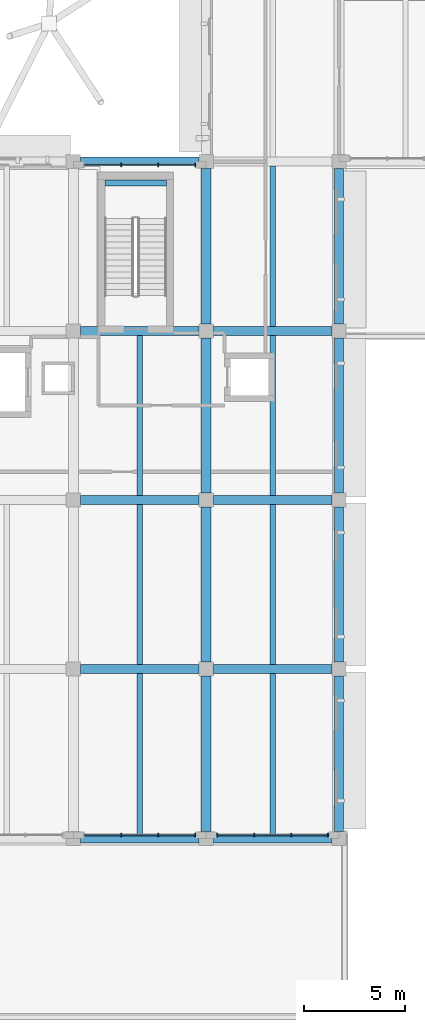
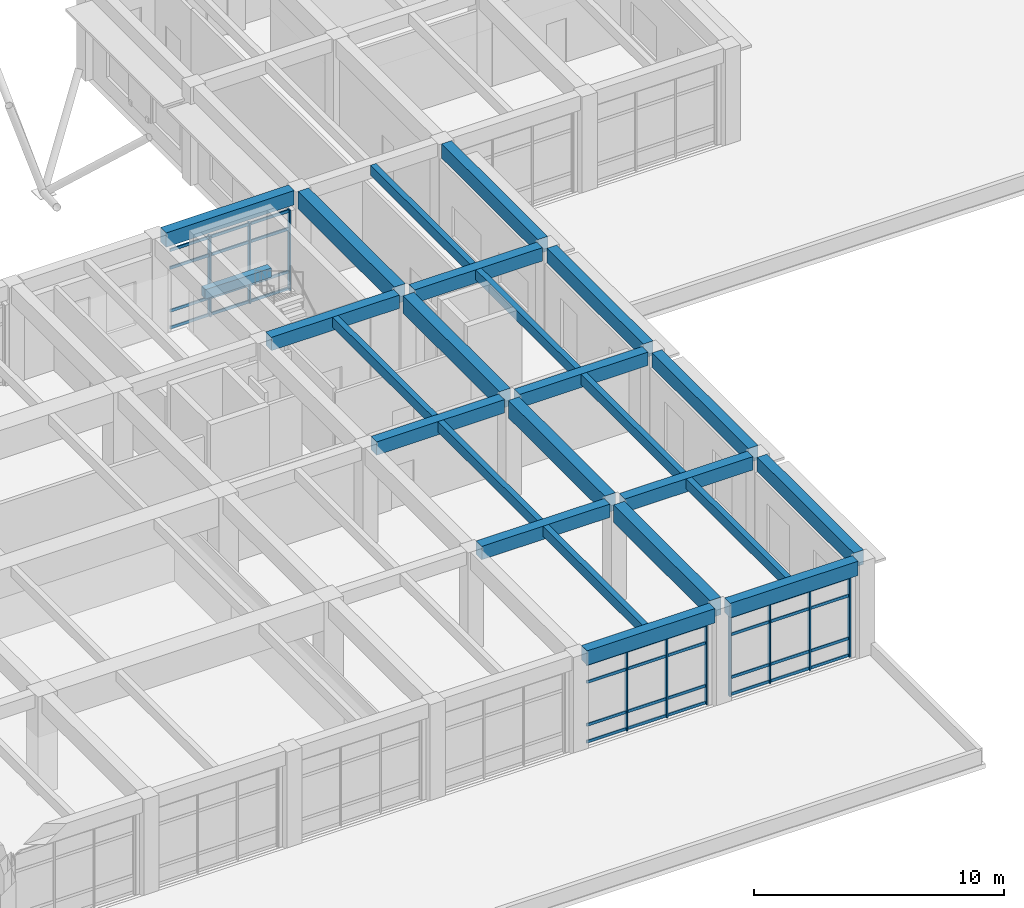
# One storey, part 25 of 75: 25 beams, 22 members, 3 elements without a shape of their own.
"""IFC4 building model written with IfcOpenShell, lengths in metres."""

from ifc_helpers import new_model, si_unit, direction, frame, origin, origin_2d, place, context, subcontext, project, spatial, rectangle, extrude, material, layer, layer_set, material_profile, profile_set, type_object, element, aggregate, save


model = new_model("IFC4")

# Units and contexts
model_context = context("Model", 3, precision=1e-05, world=origin(), true_north=direction((0.0, 1.0)))
body_context = subcontext(model_context, "Body", "Model", "MODEL_VIEW")
ifc_project = project(units=[si_unit("LENGTHUNIT", "METRE"), si_unit("AREAUNIT", "SQUARE_METRE"), si_unit("VOLUMEUNIT", "CUBIC_METRE"), si_unit("PLANEANGLEUNIT", "RADIAN"), si_unit("MASSUNIT", "GRAM", prefix="KILO")], contexts=[model_context])

# Site, building, storey
site_placement = place(None, origin())
site = spatial("IfcSite", under=ifc_project, at=site_placement, CompositionType="ELEMENT")
building_placement = place(site_placement, origin())
building = spatial("IfcBuilding", under=site, at=building_placement, Name="Kolvaren Faculty of Natural Sciences", CompositionType="ELEMENT")
storey_placement = place(building_placement, frame((0.0, 0.0, 5.39990234375)))
storey = spatial("IfcBuildingStorey", under=building, at=storey_placement, Name="L01", CompositionType="ELEMENT", Elevation=5.39990234375)

# Beam
ifc_material_1 = material(Name="Concrete C40/50", Category="concrete")
ifc_material_profile_1 = material_profile(ifc_material_1, rectangle(XDim=0.300048828125, YDim=0.449951171875, at=origin_2d()), Name="RC LNT 300x450")
ifc_profile_set_1 = profile_set([ifc_material_profile_1], Name="Concrete C40/50")
beam_type_1 = type_object("IfcBeamType", Name="CoreCouplingLintel_300x450", PredefinedType="LINTEL", material=ifc_profile_set_1)
beam_1_placement = place(storey_placement, frame((127.175048828125, 41.1298828125, 1.97509765625), z_axis=(1.0, 0.0, 0.0), x_axis=(0.0, 1.0, 0.0)))
element("IfcBeam", 1, at=beam_1_placement, inside=storey, type_object=beam_type_1, Name="L01 ST-3 half-landing support lintel", PredefinedType="LINTEL", context=body_context, shape_type="SweptSolid", body=[
    extrude(rectangle(XDim=0.300048828125, YDim=0.449951171875, at=origin_2d()), origin(), (0.0, 0.0, 1.0), 3.050048828125),
])

# Curtain wall, members
ifc_material_2 = material(Name="Thermally broken anodised aluminium framing", Category="aluminium")
ifc_layer = layer(ifc_material_2, 0.179931640625)
ifc_layer_set = layer_set([ifc_layer], Name="Thermally broken anodised aluminium framing")
curtain_wall_type = type_object("IfcCurtainWallType", Name="CommonsCurtainWall_CW02", PredefinedType="NOTDEFINED", material=ifc_layer_set)
curtain_wall_1_placement = place(storey_placement, origin())
curtain_wall_1 = element("IfcCurtainWall", 2, at=curtain_wall_1_placement, inside=storey, type_object=curtain_wall_type, Name="L01 unitised curtain wall CW-02 (CW-L01-042)", PredefinedType="NOTDEFINED")
ifc_material_profile_2 = material_profile(ifc_material_2, rectangle(XDim=0.06005859375, YDim=0.179931640625, at=origin_2d()), Name="ALU MUL 60x180")
ifc_profile_set_2 = profile_set([ifc_material_profile_2], Name="Thermally broken anodised aluminium framing")
member_type_1 = type_object("IfcMemberType", Name="CurtainMullion_60x180", PredefinedType="MULLION", material=ifc_profile_set_2)
member_1_placement = place(storey_placement, frame((138.25, 8.760009765625, 0.0), z_axis=(0.0, 0.0, 1.0), x_axis=(-1.0, 0.0, 0.0)))
member_1 = element("IfcMember", 3, at=member_1_placement, type_object=member_type_1, Name="CW-L01-042 vertical mullion 1", PredefinedType="MULLION", context=body_context, shape_type="SweptSolid", body=[
    extrude(rectangle(XDim=0.06005859375, YDim=0.179931640625, at=origin_2d()), origin(), (0.0, 0.0, 1.0), 3.93505859375),
])
member_2_placement = place(storey_placement, frame((136.416748046875, 8.760009765625, 0.0), z_axis=(0.0, 0.0, 1.0), x_axis=(-1.0, 0.0, 0.0)))
member_2 = element("IfcMember", 4, at=member_2_placement, type_object=member_type_1, Name="CW-L01-042 vertical mullion 2", PredefinedType="MULLION", context=body_context, shape_type="SweptSolid", body=[
    extrude(rectangle(XDim=0.06005859375, YDim=0.179931640625, at=origin_2d()), origin(), (0.0, 0.0, 1.0), 3.93505859375),
])
member_3_placement = place(storey_placement, frame((134.583251953125, 8.760009765625, 0.0), z_axis=(0.0, 0.0, 1.0), x_axis=(-1.0, 0.0, 0.0)))
member_3 = element("IfcMember", 5, at=member_3_placement, type_object=member_type_1, Name="CW-L01-042 vertical mullion 3", PredefinedType="MULLION", context=body_context, shape_type="SweptSolid", body=[
    extrude(rectangle(XDim=0.06005859375, YDim=0.179931640625, at=origin_2d()), origin(), (0.0, 0.0, 1.0), 3.93505859375),
])
member_4_placement = place(storey_placement, frame((132.75, 8.760009765625, 0.0), z_axis=(0.0, 0.0, 1.0), x_axis=(-1.0, 0.0, 0.0)))
member_4 = element("IfcMember", 6, at=member_4_placement, type_object=member_type_1, Name="CW-L01-042 vertical mullion 4", PredefinedType="MULLION", context=body_context, shape_type="SweptSolid", body=[
    extrude(rectangle(XDim=0.06005859375, YDim=0.179931640625, at=origin_2d()), origin(), (0.0, 0.0, 1.0), 3.93505859375),
])

curtain_wall_2_placement = place(storey_placement, origin())
curtain_wall_2 = element("IfcCurtainWall", 7, at=curtain_wall_2_placement, inside=storey, type_object=curtain_wall_type, Name="L01 unitised curtain wall CW-02 (CW-L01-043)", PredefinedType="NOTDEFINED")
member_5_placement = place(storey_placement, frame((131.64990234375, 8.760009765625, 0.0), z_axis=(0.0, 0.0, 1.0), x_axis=(-1.0, 0.0, 0.0)))
member_5 = element("IfcMember", 8, at=member_5_placement, type_object=member_type_1, Name="CW-L01-043 vertical mullion 1", PredefinedType="MULLION", context=body_context, shape_type="SweptSolid", body=[
    extrude(rectangle(XDim=0.06005859375, YDim=0.179931640625, at=origin_2d()), origin(), (0.0, 0.0, 1.0), 3.93505859375),
])
member_6_placement = place(storey_placement, frame((129.816650390625, 8.760009765625, 0.0), z_axis=(0.0, 0.0, 1.0), x_axis=(-1.0, 0.0, 0.0)))
member_6 = element("IfcMember", 9, at=member_6_placement, type_object=member_type_1, Name="CW-L01-043 vertical mullion 2", PredefinedType="MULLION", context=body_context, shape_type="SweptSolid", body=[
    extrude(rectangle(XDim=0.06005859375, YDim=0.179931640625, at=origin_2d()), origin(), (0.0, 0.0, 1.0), 3.93505859375),
])
member_7_placement = place(storey_placement, frame((127.9833984375, 8.760009765625, 0.0), z_axis=(0.0, 0.0, 1.0), x_axis=(-1.0, 0.0, 0.0)))
member_7 = element("IfcMember", 10, at=member_7_placement, type_object=member_type_1, Name="CW-L01-043 vertical mullion 3", PredefinedType="MULLION", context=body_context, shape_type="SweptSolid", body=[
    extrude(rectangle(XDim=0.06005859375, YDim=0.179931640625, at=origin_2d()), origin(), (0.0, 0.0, 1.0), 3.93505859375),
])

curtain_wall_3_placement = place(storey_placement, origin())
curtain_wall_3 = element("IfcCurtainWall", 11, at=curtain_wall_3_placement, inside=storey, type_object=curtain_wall_type, Name="L01 unitised curtain wall CW-02 (CW-L01-051)", PredefinedType="NOTDEFINED")
member_8_placement = place(storey_placement, frame((127.9833984375, 42.0400390625, 0.0), z_axis=(0.0, 0.0, 1.0), x_axis=(1.0, 0.0, 0.0)))
member_8 = element("IfcMember", 12, at=member_8_placement, type_object=member_type_1, Name="CW-L01-051 vertical mullion 2", PredefinedType="MULLION", context=body_context, shape_type="SweptSolid", body=[
    extrude(rectangle(XDim=0.06005859375, YDim=0.179931640625, at=origin_2d()), origin(), (0.0, 0.0, 1.0), 3.93505859375),
])
member_9_placement = place(storey_placement, frame((129.816650390625, 42.0400390625, 0.0), z_axis=(0.0, 0.0, 1.0), x_axis=(1.0, 0.0, 0.0)))
member_9 = element("IfcMember", 13, at=member_9_placement, type_object=member_type_1, Name="CW-L01-051 vertical mullion 3", PredefinedType="MULLION", context=body_context, shape_type="SweptSolid", body=[
    extrude(rectangle(XDim=0.06005859375, YDim=0.179931640625, at=origin_2d()), origin(), (0.0, 0.0, 1.0), 3.93505859375),
])
member_10_placement = place(storey_placement, frame((131.64990234375, 42.0400390625, 0.0), z_axis=(0.0, 0.0, 1.0), x_axis=(1.0, 0.0, 0.0)))
member_10 = element("IfcMember", 14, at=member_10_placement, type_object=member_type_1, Name="CW-L01-051 vertical mullion 4", PredefinedType="MULLION", context=body_context, shape_type="SweptSolid", body=[
    extrude(rectangle(XDim=0.06005859375, YDim=0.179931640625, at=origin_2d()), origin(), (0.0, 0.0, 1.0), 3.93505859375),
])

# Member
ifc_material_profile_3 = material_profile(ifc_material_2, rectangle(XDim=0.06005859375, YDim=0.139892578125, at=origin_2d()), Name="ALU TRN 60x140")
ifc_profile_set_3 = profile_set([ifc_material_profile_3], Name="Thermally broken anodised aluminium framing")
member_type_2 = type_object("IfcMemberType", Name="CurtainTransom_60x140", PredefinedType="USERDEFINED", material=ifc_profile_set_3)
member_11_placement = place(storey_placement, frame((138.25, 8.760009765625, 0.080078125), z_axis=(-1.0, 0.0, 0.0), x_axis=(0.0, -1.0, 0.0)))
member_11 = element("IfcMember", 15, at=member_11_placement, type_object=member_type_2, Name="CW-L01-042 horizontal transom 1", ObjectType="TRANSOM", PredefinedType="USERDEFINED", context=body_context, shape_type="SweptSolid", body=[
    extrude(rectangle(XDim=0.06005859375, YDim=0.139892578125, at=origin_2d()), origin(), (0.0, 0.0, 1.0), 5.5),
])

member_12_placement = place(storey_placement, frame((138.25, 8.760009765625, 0.900146484375), z_axis=(-1.0, 0.0, 0.0), x_axis=(0.0, -1.0, 0.0)))
member_12 = element("IfcMember", 16, at=member_12_placement, type_object=member_type_2, Name="CW-L01-042 horizontal transom 2", ObjectType="TRANSOM", PredefinedType="USERDEFINED", context=body_context, shape_type="SweptSolid", body=[
    extrude(rectangle(XDim=0.06005859375, YDim=0.139892578125, at=origin_2d()), origin(), (0.0, 0.0, 1.0), 5.5),
])

member_13_placement = place(storey_placement, frame((138.25, 8.760009765625, 2.985107421875), z_axis=(-1.0, 0.0, 0.0), x_axis=(0.0, -1.0, 0.0)))
member_13 = element("IfcMember", 17, at=member_13_placement, type_object=member_type_2, Name="CW-L01-042 horizontal transom 3", ObjectType="TRANSOM", PredefinedType="USERDEFINED", context=body_context, shape_type="SweptSolid", body=[
    extrude(rectangle(XDim=0.06005859375, YDim=0.139892578125, at=origin_2d()), origin(), (0.0, 0.0, 1.0), 5.5),
])

member_14_placement = place(storey_placement, frame((138.25, 8.760009765625, 3.85498046875), z_axis=(-1.0, 0.0, 0.0), x_axis=(0.0, -1.0, 0.0)))
member_14 = element("IfcMember", 18, at=member_14_placement, type_object=member_type_2, Name="CW-L01-042 horizontal transom 4", ObjectType="TRANSOM", PredefinedType="USERDEFINED", context=body_context, shape_type="SweptSolid", body=[
    extrude(rectangle(XDim=0.06005859375, YDim=0.139892578125, at=origin_2d()), origin(), (0.0, 0.0, 1.0), 5.5),
])

aggregate(curtain_wall_1, [member_1, member_2, member_3, member_4, member_11, member_12, member_13, member_14])

member_15_placement = place(storey_placement, frame((131.64990234375, 8.760009765625, 0.080078125), z_axis=(-1.0, 0.0, 0.0), x_axis=(0.0, -1.0, 0.0)))
member_15 = element("IfcMember", 19, at=member_15_placement, type_object=member_type_2, Name="CW-L01-043 horizontal transom 1", ObjectType="TRANSOM", PredefinedType="USERDEFINED", context=body_context, shape_type="SweptSolid", body=[
    extrude(rectangle(XDim=0.06005859375, YDim=0.139892578125, at=origin_2d()), origin(), (0.0, 0.0, 1.0), 5.5),
])

member_16_placement = place(storey_placement, frame((131.64990234375, 8.760009765625, 0.900146484375), z_axis=(-1.0, 0.0, 0.0), x_axis=(0.0, -1.0, 0.0)))
member_16 = element("IfcMember", 20, at=member_16_placement, type_object=member_type_2, Name="CW-L01-043 horizontal transom 2", ObjectType="TRANSOM", PredefinedType="USERDEFINED", context=body_context, shape_type="SweptSolid", body=[
    extrude(rectangle(XDim=0.06005859375, YDim=0.139892578125, at=origin_2d()), origin(), (0.0, 0.0, 1.0), 5.5),
])

member_17_placement = place(storey_placement, frame((131.64990234375, 8.760009765625, 2.985107421875), z_axis=(-1.0, 0.0, 0.0), x_axis=(0.0, -1.0, 0.0)))
member_17 = element("IfcMember", 21, at=member_17_placement, type_object=member_type_2, Name="CW-L01-043 horizontal transom 3", ObjectType="TRANSOM", PredefinedType="USERDEFINED", context=body_context, shape_type="SweptSolid", body=[
    extrude(rectangle(XDim=0.06005859375, YDim=0.139892578125, at=origin_2d()), origin(), (0.0, 0.0, 1.0), 5.5),
])

member_18_placement = place(storey_placement, frame((131.64990234375, 8.760009765625, 3.85498046875), z_axis=(-1.0, 0.0, 0.0), x_axis=(0.0, -1.0, 0.0)))
member_18 = element("IfcMember", 22, at=member_18_placement, type_object=member_type_2, Name="CW-L01-043 horizontal transom 4", ObjectType="TRANSOM", PredefinedType="USERDEFINED", context=body_context, shape_type="SweptSolid", body=[
    extrude(rectangle(XDim=0.06005859375, YDim=0.139892578125, at=origin_2d()), origin(), (0.0, 0.0, 1.0), 5.5),
])

aggregate(curtain_wall_2, [member_5, member_6, member_7, member_15, member_16, member_17, member_18])

member_19_placement = place(storey_placement, frame((126.14990234375, 42.0400390625, 0.080078125), z_axis=(1.0, 0.0, 0.0), x_axis=(0.0, 1.0, 0.0)))
member_19 = element("IfcMember", 23, at=member_19_placement, type_object=member_type_2, Name="CW-L01-051 horizontal transom 1", ObjectType="TRANSOM", PredefinedType="USERDEFINED", context=body_context, shape_type="SweptSolid", body=[
    extrude(rectangle(XDim=0.06005859375, YDim=0.139892578125, at=origin_2d()), origin(), (0.0, 0.0, 1.0), 5.5),
])

member_20_placement = place(storey_placement, frame((126.14990234375, 42.0400390625, 0.900146484375), z_axis=(1.0, 0.0, 0.0), x_axis=(0.0, 1.0, 0.0)))
member_20 = element("IfcMember", 24, at=member_20_placement, type_object=member_type_2, Name="CW-L01-051 horizontal transom 2", ObjectType="TRANSOM", PredefinedType="USERDEFINED", context=body_context, shape_type="SweptSolid", body=[
    extrude(rectangle(XDim=0.06005859375, YDim=0.139892578125, at=origin_2d()), origin(), (0.0, 0.0, 1.0), 5.5),
])

member_21_placement = place(storey_placement, frame((126.14990234375, 42.0400390625, 2.985107421875), z_axis=(1.0, 0.0, 0.0), x_axis=(0.0, 1.0, 0.0)))
member_21 = element("IfcMember", 25, at=member_21_placement, type_object=member_type_2, Name="CW-L01-051 horizontal transom 3", ObjectType="TRANSOM", PredefinedType="USERDEFINED", context=body_context, shape_type="SweptSolid", body=[
    extrude(rectangle(XDim=0.06005859375, YDim=0.139892578125, at=origin_2d()), origin(), (0.0, 0.0, 1.0), 5.5),
])

member_22_placement = place(storey_placement, frame((126.14990234375, 42.0400390625, 3.85498046875), z_axis=(1.0, 0.0, 0.0), x_axis=(0.0, 1.0, 0.0)))
member_22 = element("IfcMember", 26, at=member_22_placement, type_object=member_type_2, Name="CW-L01-051 horizontal transom 4", ObjectType="TRANSOM", PredefinedType="USERDEFINED", context=body_context, shape_type="SweptSolid", body=[
    extrude(rectangle(XDim=0.06005859375, YDim=0.139892578125, at=origin_2d()), origin(), (0.0, 0.0, 1.0), 5.5),
])

aggregate(curtain_wall_3, [member_8, member_9, member_10, member_19, member_20, member_21, member_22])

# Beams
ifc_material_3 = material(Name="Concrete C35/45", Category="concrete")
ifc_material_profile_4 = material_profile(ifc_material_3, rectangle(XDim=0.449951171875, YDim=0.64990234375, at=origin_2d()), Name="RC BM 450x650")
ifc_profile_set_4 = profile_set([ifc_material_profile_4], Name="Concrete C35/45")
beam_type_2 = type_object("IfcBeamType", Name="GridBeam_450x650", PredefinedType="BEAM", material=ifc_profile_set_4)
beam_2_placement = place(storey_placement, frame((125.949951171875, 17.0, 4.47509765625), z_axis=(1.0, 0.0, 0.0), x_axis=(0.0, 1.0, 0.0)))
element("IfcBeam", 27, at=beam_2_placement, inside=storey, type_object=beam_type_2, Name="L01 beam BM-65 on grid C", PredefinedType="BEAM", context=body_context, shape_type="SweptSolid", body=[
    extrude(rectangle(XDim=0.449951171875, YDim=0.64990234375, at=origin_2d()), origin(), (0.0, 0.0, 1.0), 5.900146484375),
])
beam_3_placement = place(storey_placement, frame((132.550048828125, 17.0, 4.47509765625), z_axis=(1.0, 0.0, 0.0), x_axis=(0.0, 1.0, 0.0)))
element("IfcBeam", 28, at=beam_3_placement, inside=storey, type_object=beam_type_2, Name="L01 beam BM-65 on grid C", PredefinedType="BEAM", context=body_context, shape_type="SweptSolid", body=[
    extrude(rectangle(XDim=0.449951171875, YDim=0.64990234375, at=origin_2d()), origin(), (0.0, 0.0, 1.0), 5.89990234375),
])
beam_4_placement = place(storey_placement, frame((125.949951171875, 25.39990234375, 4.47509765625), z_axis=(1.0, 0.0, 0.0), x_axis=(0.0, 1.0, 0.0)))
element("IfcBeam", 29, at=beam_4_placement, inside=storey, type_object=beam_type_2, Name="L01 beam BM-65 on grid D", PredefinedType="BEAM", context=body_context, shape_type="SweptSolid", body=[
    extrude(rectangle(XDim=0.449951171875, YDim=0.64990234375, at=origin_2d()), origin(), (0.0, 0.0, 1.0), 5.900146484375),
])
beam_5_placement = place(storey_placement, frame((132.550048828125, 25.39990234375, 4.47509765625), z_axis=(1.0, 0.0, 0.0), x_axis=(0.0, 1.0, 0.0)))
element("IfcBeam", 30, at=beam_5_placement, inside=storey, type_object=beam_type_2, Name="L01 beam BM-65 on grid D", PredefinedType="BEAM", context=body_context, shape_type="SweptSolid", body=[
    extrude(rectangle(XDim=0.449951171875, YDim=0.64990234375, at=origin_2d()), origin(), (0.0, 0.0, 1.0), 5.89990234375),
])
beam_6_placement = place(storey_placement, frame((125.949951171875, 33.800048828125, 4.47509765625), z_axis=(1.0, 0.0, 0.0), x_axis=(0.0, 1.0, 0.0)))
element("IfcBeam", 31, at=beam_6_placement, inside=storey, type_object=beam_type_2, Name="L01 beam BM-65 on grid E", PredefinedType="BEAM", context=body_context, shape_type="SweptSolid", body=[
    extrude(rectangle(XDim=0.449951171875, YDim=0.64990234375, at=origin_2d()), origin(), (0.0, 0.0, 1.0), 5.900146484375),
])
beam_7_placement = place(storey_placement, frame((132.550048828125, 33.800048828125, 4.47509765625), z_axis=(1.0, 0.0, 0.0), x_axis=(0.0, 1.0, 0.0)))
element("IfcBeam", 32, at=beam_7_placement, inside=storey, type_object=beam_type_2, Name="L01 beam BM-65 on grid E", PredefinedType="BEAM", context=body_context, shape_type="SweptSolid", body=[
    extrude(rectangle(XDim=0.449951171875, YDim=0.64990234375, at=origin_2d()), origin(), (0.0, 0.0, 1.0), 5.89990234375),
])
ifc_material_profile_5 = material_profile(ifc_material_3, rectangle(XDim=0.260009765625, YDim=0.5, at=origin_2d()), Name="RC JST 260x500")
ifc_profile_set_5 = profile_set([ifc_material_profile_5], Name="Concrete C35/45")
beam_type_3 = type_object("IfcBeamType", Name="LabRibJoist_260x500", PredefinedType="JOIST", material=ifc_profile_set_5)
for number, where, z_axis, x_axis, name in (
    (33, (128.89990234375, 8.824951171875, 4.550048828125), (0.0, 1.0, 0.0), (-1.0, 0.0, 0.0), "L01 ribbed laboratory slab joist JS-50"),
    (34, (128.89990234375, 17.22509765625, 4.550048828125), (0.0, 1.0, 0.0), (-1.0, 0.0, 0.0), "L01 ribbed laboratory slab joist JS-50"),
    (35, (128.89990234375, 25.625, 4.550048828125), (0.0, 1.0, 0.0), (-1.0, 0.0, 0.0), "L01 ribbed laboratory slab joist JS-50"),
    (36, (135.5, 8.824951171875, 4.550048828125), (0.0, 1.0, 0.0), (-1.0, 0.0, 0.0), "L01 ribbed laboratory slab joist JS-50"),
    (37, (135.5, 17.22509765625, 4.550048828125), (0.0, 1.0, 0.0), (-1.0, 0.0, 0.0), "L01 ribbed laboratory slab joist JS-50"),
    (38, (135.5, 25.625, 4.550048828125), (0.0, 1.0, 0.0), (-1.0, 0.0, 0.0), "L01 ribbed laboratory slab joist JS-50"),
):
    element("IfcBeam", number, at=place(storey_placement, frame(where, z_axis=z_axis, x_axis=x_axis)), inside=storey, type_object=beam_type_3, Name=name, PredefinedType="JOIST", context=body_context, shape_type="SweptSolid", body=[
        extrude(rectangle(XDim=0.260009765625, YDim=0.5, at=origin_2d()), origin(), (0.0, 0.0, 1.0), 7.949951171875),
    ])
beam_8_placement = place(storey_placement, frame((135.5, 34.02490234375, 4.550048828125), z_axis=(0.0, 1.0, 0.0), x_axis=(-1.0, 0.0, 0.0)))
element("IfcBeam", 39, at=beam_8_placement, inside=storey, type_object=beam_type_3, Name="L01 ribbed laboratory slab joist JS-50", PredefinedType="JOIST", context=body_context, shape_type="SweptSolid", body=[
    extrude(rectangle(XDim=0.260009765625, YDim=0.5, at=origin_2d()), origin(), (0.0, 0.0, 1.0), 7.9501953125),
])
ifc_material_profile_6 = material_profile(ifc_material_3, rectangle(XDim=0.449951171875, YDim=0.699951171875, at=origin_2d()), Name="RC SP 450x700")
ifc_profile_set_6 = profile_set([ifc_material_profile_6], Name="Concrete C35/45")
beam_type_4 = type_object("IfcBeamType", Name="PerimeterSpandrel_450x700", PredefinedType="SPANDREL", material=ifc_profile_set_6)
beam_9_placement = place(storey_placement, frame((125.949951171875, 8.60009765625, 4.4501953125), z_axis=(1.0, 0.0, 0.0), x_axis=(0.0, 1.0, 0.0)))
element("IfcBeam", 40, at=beam_9_placement, inside=storey, type_object=beam_type_4, Name="L01 spandrel SP-70 on grid B", PredefinedType="SPANDREL", context=body_context, shape_type="SweptSolid", body=[
    extrude(rectangle(XDim=0.449951171875, YDim=0.699951171875, at=origin_2d()), origin(), (0.0, 0.0, 1.0), 5.900146484375),
])
beam_10_placement = place(storey_placement, frame((132.550048828125, 8.60009765625, 4.4501953125), z_axis=(1.0, 0.0, 0.0), x_axis=(0.0, 1.0, 0.0)))
element("IfcBeam", 41, at=beam_10_placement, inside=storey, type_object=beam_type_4, Name="L01 spandrel SP-70 on grid B", PredefinedType="SPANDREL", context=body_context, shape_type="SweptSolid", body=[
    extrude(rectangle(XDim=0.449951171875, YDim=0.699951171875, at=origin_2d()), origin(), (0.0, 0.0, 1.0), 5.89990234375),
])
beam_11_placement = place(storey_placement, frame((125.949951171875, 42.199951171875, 4.4501953125), z_axis=(1.0, 0.0, 0.0), x_axis=(0.0, 1.0, 0.0)))
element("IfcBeam", 42, at=beam_11_placement, inside=storey, type_object=beam_type_4, Name="L01 spandrel SP-70 on grid F", PredefinedType="SPANDREL", context=body_context, shape_type="SweptSolid", body=[
    extrude(rectangle(XDim=0.449951171875, YDim=0.699951171875, at=origin_2d()), origin(), (0.0, 0.0, 1.0), 5.900146484375),
])
for number, where, z_axis, x_axis, name in (
    (43, (138.800048828125, 8.949951171875, 4.4501953125), (0.0, 1.0, 0.0), (-1.0, 0.0, 0.0), "L01 girder SP-70 on grid 22"),
    (44, (138.800048828125, 17.35009765625, 4.4501953125), (0.0, 1.0, 0.0), (-1.0, 0.0, 0.0), "L01 girder SP-70 on grid 22"),
    (45, (138.800048828125, 25.75, 4.4501953125), (0.0, 1.0, 0.0), (-1.0, 0.0, 0.0), "L01 girder SP-70 on grid 22"),
):
    element("IfcBeam", number, at=place(storey_placement, frame(where, z_axis=z_axis, x_axis=x_axis)), inside=storey, type_object=beam_type_4, Name=name, PredefinedType="SPANDREL", context=body_context, shape_type="SweptSolid", body=[
        extrude(rectangle(XDim=0.449951171875, YDim=0.699951171875, at=origin_2d()), origin(), (0.0, 0.0, 1.0), 7.699951171875),
    ])
beam_12_placement = place(storey_placement, frame((138.800048828125, 34.14990234375, 4.4501953125), z_axis=(0.0, 1.0, 0.0), x_axis=(-1.0, 0.0, 0.0)))
element("IfcBeam", 46, at=beam_12_placement, inside=storey, type_object=beam_type_4, Name="L01 girder SP-70 on grid 22", PredefinedType="SPANDREL", context=body_context, shape_type="SweptSolid", body=[
    extrude(rectangle(XDim=0.449951171875, YDim=0.699951171875, at=origin_2d()), origin(), (0.0, 0.0, 1.0), 7.7001953125),
])
ifc_material_profile_7 = material_profile(ifc_material_3, rectangle(XDim=0.5, YDim=0.85009765625, at=origin_2d()), Name="RC BM 500x850")
ifc_profile_set_7 = profile_set([ifc_material_profile_7], Name="Concrete C35/45")
beam_type_5 = type_object("IfcBeamType", Name="PrimaryGirder_500x850", PredefinedType="BEAM", material=ifc_profile_set_7)
for number, where, z_axis, x_axis, name in (
    (47, (132.199951171875, 8.949951171875, 4.375), (0.0, 1.0, 0.0), (-1.0, 0.0, 0.0), "L01 girder BG-85 on grid 21"),
    (48, (132.199951171875, 17.35009765625, 4.375), (0.0, 1.0, 0.0), (-1.0, 0.0, 0.0), "L01 girder BG-85 on grid 21"),
    (49, (132.199951171875, 25.75, 4.375), (0.0, 1.0, 0.0), (-1.0, 0.0, 0.0), "L01 girder BG-85 on grid 21"),
):
    element("IfcBeam", number, at=place(storey_placement, frame(where, z_axis=z_axis, x_axis=x_axis)), inside=storey, type_object=beam_type_5, Name=name, PredefinedType="BEAM", context=body_context, shape_type="SweptSolid", body=[
        extrude(rectangle(XDim=0.5, YDim=0.85009765625, at=origin_2d()), origin(), (0.0, 0.0, 1.0), 7.699951171875),
    ])
beam_13_placement = place(storey_placement, frame((132.199951171875, 34.14990234375, 4.375), z_axis=(0.0, 1.0, 0.0), x_axis=(-1.0, 0.0, 0.0)))
element("IfcBeam", 50, at=beam_13_placement, inside=storey, type_object=beam_type_5, Name="L01 girder BG-85 on grid 21", PredefinedType="BEAM", context=body_context, shape_type="SweptSolid", body=[
    extrude(rectangle(XDim=0.5, YDim=0.85009765625, at=origin_2d()), origin(), (0.0, 0.0, 1.0), 7.7001953125),
])

save(model, "model.ifc")
